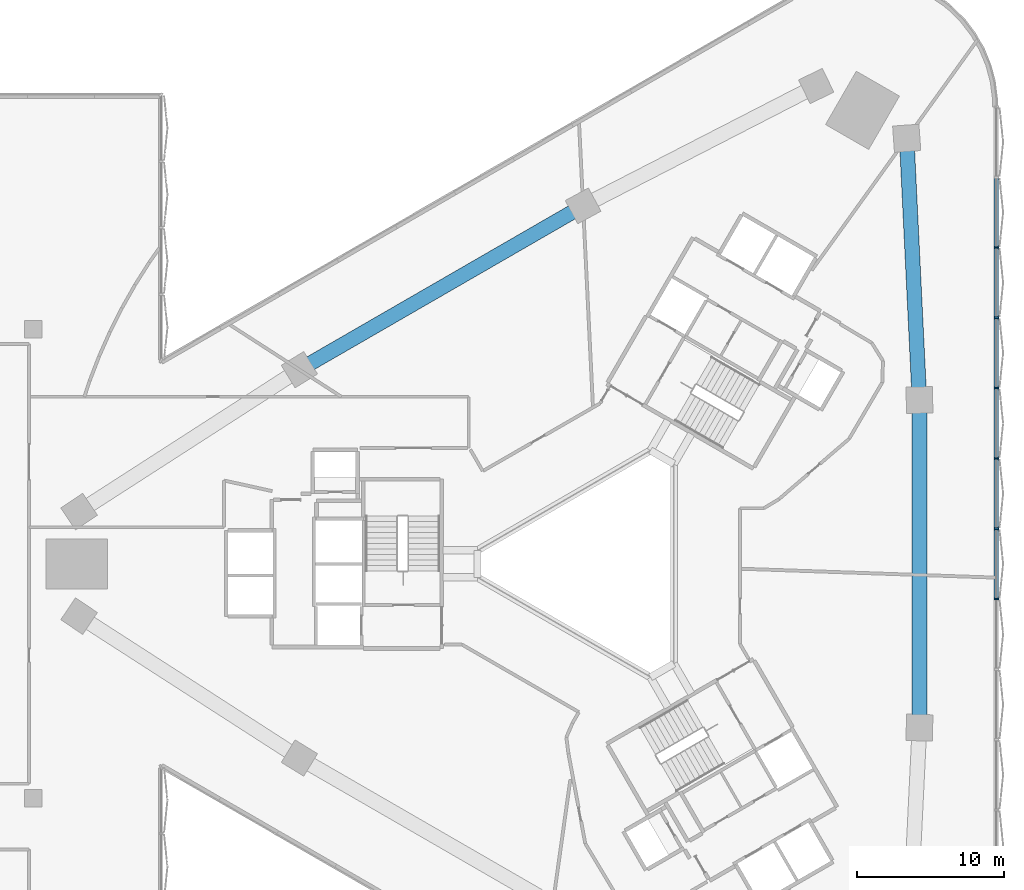
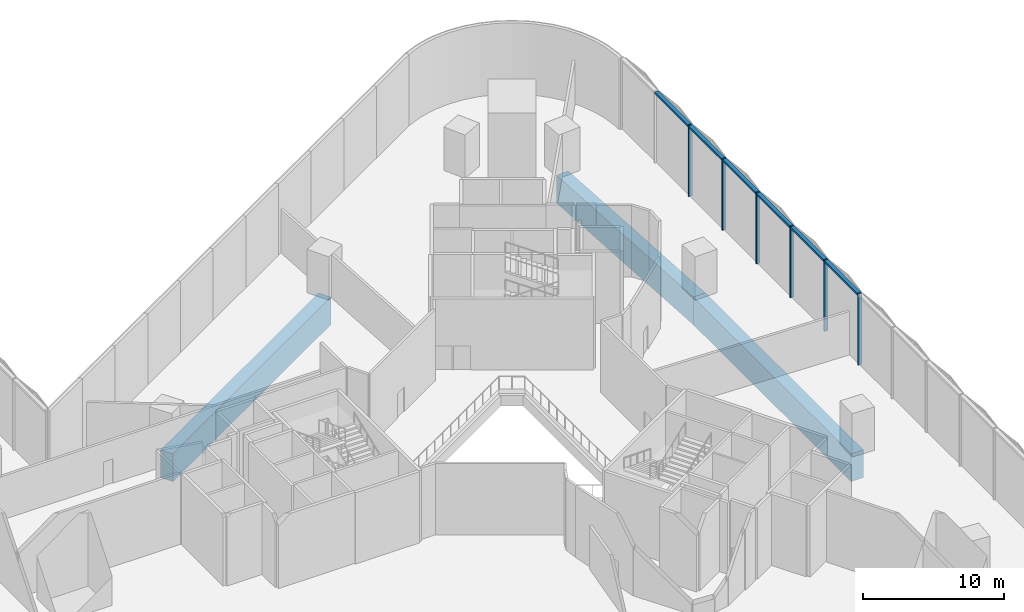
# One storey, part 7 of 32: 8 members, 3 beams, 1 element without a shape of its own.
"""IFC4 building model written with IfcOpenShell, lengths in metres."""

from ifc_helpers import new_model, si_unit, direction, frame, origin, origin_2d, place, context, subcontext, project, spatial, rectangle, extrude, material, material_profile, profile_set, type_object, element, aggregate, save


model = new_model("IFC4")

# Units and contexts
model_context = context("Model", 3, precision=1e-05, world=origin(), true_north=direction((0.0, 1.0)))
body_context = subcontext(model_context, "Body", "Model", "MODEL_VIEW")
ifc_project = project(units=[si_unit("LENGTHUNIT", "METRE"), si_unit("AREAUNIT", "SQUARE_METRE"), si_unit("VOLUMEUNIT", "CUBIC_METRE"), si_unit("PLANEANGLEUNIT", "RADIAN"), si_unit("MASSUNIT", "GRAM", prefix="KILO")], contexts=[model_context])

# Site, building, storey
site_placement = place(None, origin())
site = spatial("IfcSite", under=ifc_project, at=site_placement, CompositionType="ELEMENT")
building_placement = place(site_placement, origin())
building = spatial("IfcBuilding", under=site, at=building_placement, Name="Tamra Quay Hotel Tower", CompositionType="ELEMENT")
storey_placement = place(building_placement, frame((0.0, 0.0, 7.5)))
storey = spatial("IfcBuildingStorey", under=building, at=storey_placement, Name="L01", CompositionType="ELEMENT", Elevation=7.5)

# Curtain wall, members
ifc_material_1 = material(Name="Aluminium 6063 anodised dark grey", Category="aluminium")
curtain_wall_type = type_object("IfcCurtainWallType", Name="CW4 CURTAIN WALL", PredefinedType="NOTDEFINED", material=ifc_material_1)
curtain_wall_placement = place(storey_placement, origin())
curtain_wall = element("IfcCurtainWall", 1, at=curtain_wall_placement, inside=storey, type_object=curtain_wall_type, Name="CW4 east face L01", PredefinedType="NOTDEFINED")
ifc_material_profile_1 = material_profile(ifc_material_1, rectangle(XDim=0.300048828125, YDim=0.1201171875, at=origin_2d()), Name="MULLION 120X300")
ifc_profile_set_1 = profile_set([ifc_material_profile_1], Name="Aluminium 6063 anodised dark grey")
member_type_1 = type_object("IfcMemberType", Name="MULLION CW4", PredefinedType="MULLION", material=ifc_profile_set_1)
member_1_placement = place(storey_placement, frame((27.0, -2.398193359375, 0.0), z_axis=(0.0, 0.0, 1.0), x_axis=(1.0, 0.0, 0.0)))
member_1 = element("IfcMember", 2, at=member_1_placement, type_object=member_type_1, Name="CW4 mullion L01.E.11", PredefinedType="MULLION", context=body_context, shape_type="SweptSolid", body=[
    extrude(rectangle(XDim=0.300048828125, YDim=0.1201171875, at=origin_2d()), origin(), (0.0, 0.0, 1.0), 6.14990234375),
])
member_2_placement = place(storey_placement, frame((27.0, 2.398193359375, 0.0), z_axis=(0.0, 0.0, 1.0), x_axis=(1.0, 0.0, 0.0)))
member_2 = element("IfcMember", 3, at=member_2_placement, type_object=member_type_1, Name="CW4 mullion L01.E.12", PredefinedType="MULLION", context=body_context, shape_type="SweptSolid", body=[
    extrude(rectangle(XDim=0.300048828125, YDim=0.1201171875, at=origin_2d()), origin(), (0.0, 0.0, 1.0), 6.14990234375),
])
member_3_placement = place(storey_placement, frame((27.0, 7.194580078125, 0.0), z_axis=(0.0, 0.0, 1.0), x_axis=(1.0, 0.0, 0.0)))
member_3 = element("IfcMember", 4, at=member_3_placement, type_object=member_type_1, Name="CW4 mullion L01.E.13", PredefinedType="MULLION", context=body_context, shape_type="SweptSolid", body=[
    extrude(rectangle(XDim=0.300048828125, YDim=0.1201171875, at=origin_2d()), origin(), (0.0, 0.0, 1.0), 6.14990234375),
])
member_4_placement = place(storey_placement, frame((27.0, 11.9912109375, 0.0), z_axis=(0.0, 0.0, 1.0), x_axis=(1.0, 0.0, 0.0)))
member_4 = element("IfcMember", 5, at=member_4_placement, type_object=member_type_1, Name="CW4 mullion L01.E.14", PredefinedType="MULLION", context=body_context, shape_type="SweptSolid", body=[
    extrude(rectangle(XDim=0.300048828125, YDim=0.1201171875, at=origin_2d()), origin(), (0.0, 0.0, 1.0), 6.14990234375),
])
member_5_placement = place(storey_placement, frame((27.0, 16.78759765625, 0.0), z_axis=(0.0, 0.0, 1.0), x_axis=(1.0, 0.0, 0.0)))
member_5 = element("IfcMember", 6, at=member_5_placement, type_object=member_type_1, Name="CW4 mullion L01.E.15", PredefinedType="MULLION", context=body_context, shape_type="SweptSolid", body=[
    extrude(rectangle(XDim=0.300048828125, YDim=0.1201171875, at=origin_2d()), origin(), (0.0, 0.0, 1.0), 6.14990234375),
])
member_6_placement = place(storey_placement, frame((27.0, 21.583984375, 0.0), z_axis=(0.0, 0.0, 1.0), x_axis=(1.0, 0.0, 0.0)))
member_6 = element("IfcMember", 7, at=member_6_placement, type_object=member_type_1, Name="CW4 mullion L01.E.16", PredefinedType="MULLION", context=body_context, shape_type="SweptSolid", body=[
    extrude(rectangle(XDim=0.300048828125, YDim=0.1201171875, at=origin_2d()), origin(), (0.0, 0.0, 1.0), 6.14990234375),
])

# Beams
ifc_material_2 = material(Name="Concrete M60", Category="concrete")
ifc_material_profile_2 = material_profile(ifc_material_2, rectangle(XDim=1.0, YDim=2.39990234375, at=origin_2d()), Name="PODIUM RING GIRDER RC 1000x2400")
ifc_profile_set_2 = profile_set([ifc_material_profile_2], Name="Concrete M60")
beam_type = type_object("IfcBeamType", Name="PODIUM RING GIRDER RC 1000x2400", PredefinedType="BEAM", material=ifc_profile_set_2)
beam_1_placement = place(storey_placement, frame((21.7490234375, -11.17431640625, -1.60009765625), z_axis=(0.0, 1.0, 0.0), x_axis=(-1.0, 0.0, 0.0)))
element("IfcBeam", 8, at=beam_1_placement, inside=storey, type_object=beam_type, Name="BM-PG002-L01", PredefinedType="BEAM", context=body_context, shape_type="SweptSolid", body=[
    extrude(rectangle(XDim=1.0, YDim=2.39990234375, at=origin_2d()), origin(), (0.0, 0.0, 1.0), 22.3486328125),
])
beam_2_placement = place(storey_placement, frame((21.7490234375, 11.17431640625, -1.60009765625), z_axis=(-0.048662088022, 0.998815298836, 0.0), x_axis=(-0.998815298836, -0.048662088022, 0.0)))
element("IfcBeam", 9, at=beam_2_placement, inside=storey, type_object=beam_type, Name="BM-PG003-L01", PredefinedType="BEAM", context=body_context, shape_type="SweptSolid", body=[
    extrude(rectangle(XDim=1.0, YDim=2.39990234375, at=origin_2d()), origin(), (0.0, 0.0, 1.0), 17.880859375),
])
beam_3_placement = place(storey_placement, frame((-1.197265625, 24.422607421875, -1.60009765625), z_axis=(-0.866023498866, -0.500003299401, 0.0), x_axis=(0.500003299401, -0.866023498866, 0.0)))
element("IfcBeam", 10, at=beam_3_placement, inside=storey, type_object=beam_type, Name="BM-PG005-L01", PredefinedType="BEAM", context=body_context, shape_type="SweptSolid", body=[
    extrude(rectangle(XDim=1.0, YDim=2.39990234375, at=origin_2d()), origin(), (0.0, 0.0, 1.0), 22.348876953125),
])

# Member
ifc_material_profile_3 = material_profile(ifc_material_1, rectangle(XDim=0.300048828125, YDim=0.179931640625, at=origin_2d()), Name="TRANSOM 300X180")
ifc_profile_set_3 = profile_set([ifc_material_profile_3], Name="Aluminium 6063 anodised dark grey")
member_type_2 = type_object("IfcMemberType", Name="TRANSOM CW4", PredefinedType="USERDEFINED", material=ifc_profile_set_3)
member_7_placement = place(storey_placement, frame((27.0, -2.338134765625, 6.06005859375), z_axis=(0.0, 1.0, 0.0), x_axis=(-1.0, 0.0, 0.0)))
member_7 = element("IfcMember", 11, at=member_7_placement, type_object=member_type_2, Name="CW4 transom L01.E.11", ObjectType="TRANSOM", PredefinedType="USERDEFINED", context=body_context, shape_type="SweptSolid", body=[
    extrude(rectangle(XDim=0.300048828125, YDim=0.179931640625, at=origin_2d()), origin(), (0.0, 0.0, 1.0), 14.269287109375),
])

member_8_placement = place(storey_placement, frame((27.0, 12.051025390625, 6.06005859375), z_axis=(0.0, 1.0, 0.0), x_axis=(-1.0, 0.0, 0.0)))
member_8 = element("IfcMember", 12, at=member_8_placement, type_object=member_type_2, Name="CW4 transom L01.E.14", ObjectType="TRANSOM", PredefinedType="USERDEFINED", context=body_context, shape_type="SweptSolid", body=[
    extrude(rectangle(XDim=0.300048828125, YDim=0.179931640625, at=origin_2d()), origin(), (0.0, 0.0, 1.0), 14.26953125),
])

aggregate(curtain_wall, [member_1, member_7, member_2, member_3, member_4, member_8, member_5, member_6])

save(model, "model.ifc")
